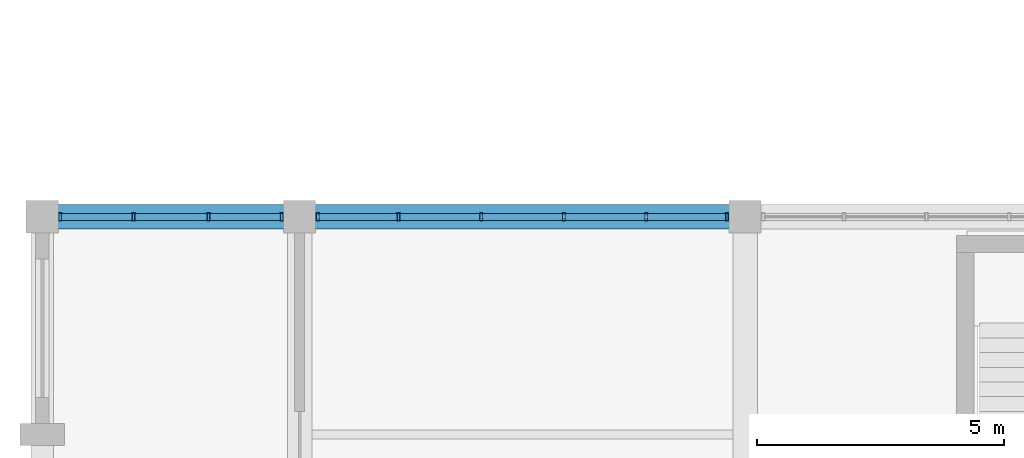
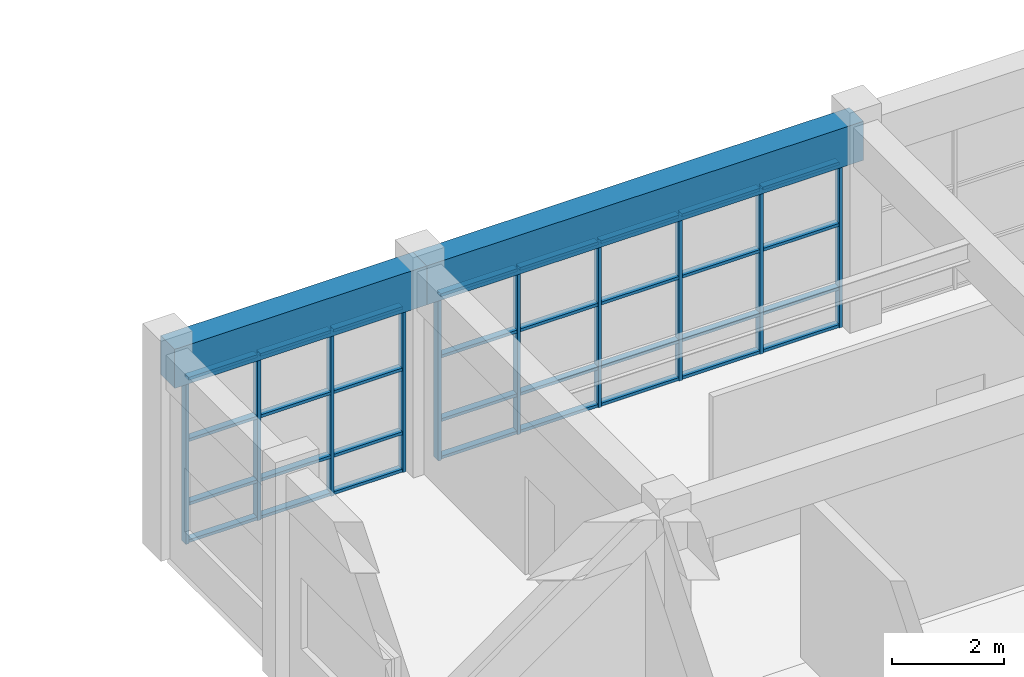
# One storey, part 13 of 99: 42 members, 2 beams, 2 elements without a shape of their own.
"""IFC4 building model written with IfcOpenShell, lengths in metres."""

from ifc_helpers import new_model, si_unit, direction, frame, origin, origin_2d, place, context, subcontext, project, spatial, rectangle, hollow_rectangle, extrude, material, layer, layer_set, material_profile, profile_set, type_object, element, aggregate, save


model = new_model("IFC4")

# Units and contexts
model_context = context("Model", 3, precision=1e-05, world=origin(), true_north=direction((0.0, 1.0)))
body_context = subcontext(model_context, "Body", "Model", "MODEL_VIEW")
ifc_project = project(units=[si_unit("LENGTHUNIT", "METRE"), si_unit("AREAUNIT", "SQUARE_METRE"), si_unit("VOLUMEUNIT", "CUBIC_METRE"), si_unit("PLANEANGLEUNIT", "RADIAN"), si_unit("MASSUNIT", "GRAM", prefix="KILO")], contexts=[model_context])

# Site, building, storey
site_placement = place(None, origin())
site = spatial("IfcSite", under=ifc_project, at=site_placement, CompositionType="ELEMENT")
building_placement = place(site_placement, origin())
building = spatial("IfcBuilding", under=site, at=building_placement, Name="Ventoquebrada Cableway Terminal", CompositionType="ELEMENT")
storey_placement = place(building_placement, frame((0.0, 0.0, 9.60009765625)))
storey = spatial("IfcBuildingStorey", under=building, at=storey_placement, Name="L02", CompositionType="ELEMENT", Elevation=9.60009765625)

# Beams
ifc_material_1 = material(Name="Concrete C40/50", Category="concrete")
ifc_material_profile_1 = material_profile(ifc_material_1, rectangle(XDim=0.5, YDim=0.85009765625, at=origin_2d()), Name="RC-BM-500X850")
ifc_profile_set_1 = profile_set([ifc_material_profile_1], Name="Concrete C40/50")
beam_type = type_object("IfcBeamType", Name="BM-RC04", PredefinedType="BEAM", material=ifc_profile_set_1)
beam_1_placement = place(storey_placement, frame((3.0, 38.199951171875, 4.039794921875), z_axis=(1.0, 0.0, 0.0), x_axis=(0.0, 1.0, 0.0)))
element("IfcBeam", 1, at=beam_1_placement, inside=storey, type_object=beam_type, Name="Primary frame girder FBM-0212", PredefinedType="BEAM", context=body_context, shape_type="SweptSolid", body=[
    extrude(rectangle(XDim=0.5, YDim=0.85009765625, at=origin_2d()), origin(), (0.0, 0.0, 1.0), 5.199951171875),
])
beam_2_placement = place(storey_placement, frame((8.199951171875, 38.199951171875, 4.039794921875), z_axis=(1.0, 0.0, 0.0), x_axis=(0.0, 1.0, 0.0)))
element("IfcBeam", 2, at=beam_2_placement, inside=storey, type_object=beam_type, Name="Primary frame girder FBM-0213", PredefinedType="BEAM", context=body_context, shape_type="SweptSolid", body=[
    extrude(rectangle(XDim=0.5, YDim=0.85009765625, at=origin_2d()), origin(), (0.0, 0.0, 1.0), 9.0),
])

# Curtain wall, members
ifc_material_2 = material(Name="Anodized thermally-broken aluminium", Category="aluminium")
ifc_layer_1 = layer(ifc_material_2, 0.159912109375)
ifc_layer_set_1 = layer_set([ifc_layer_1], Name="Anodized thermally-broken aluminium")
curtain_wall_type_1 = type_object("IfcCurtainWallType", Name="CW-T08", PredefinedType="USERDEFINED", material=ifc_layer_set_1)
curtain_wall_1_placement = place(storey_placement, origin())
curtain_wall_1 = element("IfcCurtainWall", 3, at=curtain_wall_1_placement, inside=storey, type_object=curtain_wall_type_1, Name="Unitised glazed curtain wall CW-017", ObjectType="UNITISED CURTAIN WALL", PredefinedType="USERDEFINED")
ifc_material_profile_2 = material_profile(ifc_material_2, hollow_rectangle(XDim=0.06494140625, YDim=0.159912109375, WallThickness=0.00390625, at=origin_2d()), Name="CW-MUL-65X160")
ifc_profile_set_2 = profile_set([ifc_material_profile_2], Name="Anodized thermally-broken aluminium")
member_type_1 = type_object("IfcMemberType", Name="CWM-01", PredefinedType="MULLION", material=ifc_profile_set_2)
member_1_placement = place(storey_placement, frame((7.8349609375, 38.199951171875, -0.008056640625), z_axis=(0.0, 0.0, 1.0), x_axis=(-1.0, 0.0, 0.0)))
member_1 = element("IfcMember", 4, at=member_1_placement, type_object=member_type_1, Name="Curtain wall mullion FML-0074", PredefinedType="MULLION", context=body_context, shape_type="SweptSolid", body=[
    extrude(hollow_rectangle(XDim=0.06494140625, YDim=0.159912109375, WallThickness=0.00390625, at=origin_2d()), origin(), (0.0, 0.0, 1.0), 3.623046875),
])
member_2_placement = place(storey_placement, frame((6.35693359375, 38.199951171875, -0.008056640625), z_axis=(0.0, 0.0, 1.0), x_axis=(-1.0, 0.0, 0.0)))
member_2 = element("IfcMember", 5, at=member_2_placement, type_object=member_type_1, Name="Curtain wall mullion FML-0075", PredefinedType="MULLION", context=body_context, shape_type="SweptSolid", body=[
    extrude(hollow_rectangle(XDim=0.06494140625, YDim=0.159912109375, WallThickness=0.00390625, at=origin_2d()), origin(), (0.0, 0.0, 1.0), 3.623046875),
])
member_3_placement = place(storey_placement, frame((4.843017578125, 38.199951171875, -0.008056640625), z_axis=(0.0, 0.0, 1.0), x_axis=(-1.0, 0.0, 0.0)))
member_3 = element("IfcMember", 6, at=member_3_placement, type_object=member_type_1, Name="Curtain wall mullion FML-0076", PredefinedType="MULLION", context=body_context, shape_type="SweptSolid", body=[
    extrude(hollow_rectangle(XDim=0.06494140625, YDim=0.159912109375, WallThickness=0.00390625, at=origin_2d()), origin(), (0.0, 0.0, 1.0), 3.623046875),
])
member_4_placement = place(storey_placement, frame((3.364990234375, 38.199951171875, -0.008056640625), z_axis=(0.0, 0.0, 1.0), x_axis=(-1.0, 0.0, 0.0)))
member_4 = element("IfcMember", 7, at=member_4_placement, type_object=member_type_1, Name="Curtain wall mullion FML-0077", PredefinedType="MULLION", context=body_context, shape_type="SweptSolid", body=[
    extrude(hollow_rectangle(XDim=0.06494140625, YDim=0.159912109375, WallThickness=0.00390625, at=origin_2d()), origin(), (0.0, 0.0, 1.0), 3.623046875),
])

ifc_layer_2 = layer(ifc_material_2, 0.159912109375)
ifc_layer_set_2 = layer_set([ifc_layer_2], Name="Anodized thermally-broken aluminium")
curtain_wall_type_2 = type_object("IfcCurtainWallType", Name="CW-T09", PredefinedType="USERDEFINED", material=ifc_layer_set_2)
curtain_wall_2_placement = place(storey_placement, origin())
curtain_wall_2 = element("IfcCurtainWall", 8, at=curtain_wall_2_placement, inside=storey, type_object=curtain_wall_type_2, Name="Unitised glazed curtain wall CW-018", ObjectType="UNITISED CURTAIN WALL", PredefinedType="USERDEFINED")
member_5_placement = place(storey_placement, frame((16.8349609375, 38.199951171875, -0.008056640625), z_axis=(0.0, 0.0, 1.0), x_axis=(-1.0, 0.0, 0.0)))
member_5 = element("IfcMember", 9, at=member_5_placement, type_object=member_type_1, Name="Curtain wall mullion FML-0078", PredefinedType="MULLION", context=body_context, shape_type="SweptSolid", body=[
    extrude(hollow_rectangle(XDim=0.06494140625, YDim=0.159912109375, WallThickness=0.00390625, at=origin_2d()), origin(), (0.0, 0.0, 1.0), 3.623046875),
])
member_6_placement = place(storey_placement, frame((15.201904296875, 38.199951171875, -0.008056640625), z_axis=(0.0, 0.0, 1.0), x_axis=(-1.0, 0.0, 0.0)))
member_6 = element("IfcMember", 10, at=member_6_placement, type_object=member_type_1, Name="Curtain wall mullion FML-0079", PredefinedType="MULLION", context=body_context, shape_type="SweptSolid", body=[
    extrude(hollow_rectangle(XDim=0.06494140625, YDim=0.159912109375, WallThickness=0.00390625, at=origin_2d()), origin(), (0.0, 0.0, 1.0), 3.623046875),
])
member_7_placement = place(storey_placement, frame((13.533935546875, 38.199951171875, -0.008056640625), z_axis=(0.0, 0.0, 1.0), x_axis=(-1.0, 0.0, 0.0)))
member_7 = element("IfcMember", 11, at=member_7_placement, type_object=member_type_1, Name="Curtain wall mullion FML-0080", PredefinedType="MULLION", context=body_context, shape_type="SweptSolid", body=[
    extrude(hollow_rectangle(XDim=0.06494140625, YDim=0.159912109375, WallThickness=0.00390625, at=origin_2d()), origin(), (0.0, 0.0, 1.0), 3.623046875),
])
member_8_placement = place(storey_placement, frame((11.865966796875, 38.199951171875, -0.008056640625), z_axis=(0.0, 0.0, 1.0), x_axis=(-1.0, 0.0, 0.0)))
member_8 = element("IfcMember", 12, at=member_8_placement, type_object=member_type_1, Name="Curtain wall mullion FML-0081", PredefinedType="MULLION", context=body_context, shape_type="SweptSolid", body=[
    extrude(hollow_rectangle(XDim=0.06494140625, YDim=0.159912109375, WallThickness=0.00390625, at=origin_2d()), origin(), (0.0, 0.0, 1.0), 3.623046875),
])
member_9_placement = place(storey_placement, frame((10.197998046875, 38.199951171875, -0.008056640625), z_axis=(0.0, 0.0, 1.0), x_axis=(-1.0, 0.0, 0.0)))
member_9 = element("IfcMember", 13, at=member_9_placement, type_object=member_type_1, Name="Curtain wall mullion FML-0082", PredefinedType="MULLION", context=body_context, shape_type="SweptSolid", body=[
    extrude(hollow_rectangle(XDim=0.06494140625, YDim=0.159912109375, WallThickness=0.00390625, at=origin_2d()), origin(), (0.0, 0.0, 1.0), 3.623046875),
])
member_10_placement = place(storey_placement, frame((8.56494140625, 38.199951171875, -0.008056640625), z_axis=(0.0, 0.0, 1.0), x_axis=(-1.0, 0.0, 0.0)))
member_10 = element("IfcMember", 14, at=member_10_placement, type_object=member_type_1, Name="Curtain wall mullion FML-0083", PredefinedType="MULLION", context=body_context, shape_type="SweptSolid", body=[
    extrude(hollow_rectangle(XDim=0.06494140625, YDim=0.159912109375, WallThickness=0.00390625, at=origin_2d()), origin(), (0.0, 0.0, 1.0), 3.623046875),
])

# Member
ifc_material_profile_3 = material_profile(ifc_material_2, hollow_rectangle(XDim=0.06494140625, YDim=0.139892578125, WallThickness=0.00390625, at=origin_2d()), Name="CW-TRN-65X140")
ifc_profile_set_3 = profile_set([ifc_material_profile_3], Name="Anodized thermally-broken aluminium")
member_type_2 = type_object("IfcMemberType", Name="CWT-01", PredefinedType="USERDEFINED", material=ifc_profile_set_3)
member_11_placement = place(storey_placement, frame((7.80810546875, 38.199951171875, 0.034912109375), z_axis=(-1.0, 0.0, 0.0), x_axis=(0.0, 0.0, 1.0)))
member_11 = element("IfcMember", 15, at=member_11_placement, type_object=member_type_2, Name="Curtain wall transom FTR-0220", ObjectType="TRANSOM", PredefinedType="USERDEFINED", context=body_context, shape_type="SweptSolid", body=[
    extrude(hollow_rectangle(XDim=0.06494140625, YDim=0.139892578125, WallThickness=0.00390625, at=origin_2d()), origin(), (0.0, 0.0, 1.0), 1.424072265625),
])

member_12_placement = place(storey_placement, frame((7.80810546875, 38.199951171875, 0.849853515625), z_axis=(-1.0, 0.0, 0.0), x_axis=(0.0, 0.0, 1.0)))
member_12 = element("IfcMember", 16, at=member_12_placement, type_object=member_type_2, Name="Curtain wall transom FTR-0221", ObjectType="TRANSOM", PredefinedType="USERDEFINED", context=body_context, shape_type="SweptSolid", body=[
    extrude(hollow_rectangle(XDim=0.06494140625, YDim=0.139892578125, WallThickness=0.00390625, at=origin_2d()), origin(), (0.0, 0.0, 1.0), 1.424072265625),
])

member_13_placement = place(storey_placement, frame((7.80810546875, 38.199951171875, 2.23779296875), z_axis=(-1.0, 0.0, 0.0), x_axis=(0.0, 0.0, 1.0)))
member_13 = element("IfcMember", 17, at=member_13_placement, type_object=member_type_2, Name="Curtain wall transom FTR-0222", ObjectType="TRANSOM", PredefinedType="USERDEFINED", context=body_context, shape_type="SweptSolid", body=[
    extrude(hollow_rectangle(XDim=0.06494140625, YDim=0.139892578125, WallThickness=0.00390625, at=origin_2d()), origin(), (0.0, 0.0, 1.0), 1.424072265625),
])

member_14_placement = place(storey_placement, frame((7.80810546875, 38.199951171875, 3.574951171875), z_axis=(-1.0, 0.0, 0.0), x_axis=(0.0, 0.0, 1.0)))
member_14 = element("IfcMember", 18, at=member_14_placement, type_object=member_type_2, Name="Curtain wall transom FTR-0223", ObjectType="TRANSOM", PredefinedType="USERDEFINED", context=body_context, shape_type="SweptSolid", body=[
    extrude(hollow_rectangle(XDim=0.06494140625, YDim=0.139892578125, WallThickness=0.00390625, at=origin_2d()), origin(), (0.0, 0.0, 1.0), 1.424072265625),
])

member_15_placement = place(storey_placement, frame((6.3291015625, 38.199951171875, 0.034912109375), z_axis=(-1.0, 0.0, 0.0), x_axis=(0.0, 0.0, 1.0)))
member_15 = element("IfcMember", 19, at=member_15_placement, type_object=member_type_2, Name="Curtain wall transom FTR-0224", ObjectType="TRANSOM", PredefinedType="USERDEFINED", context=body_context, shape_type="SweptSolid", body=[
    extrude(hollow_rectangle(XDim=0.06494140625, YDim=0.139892578125, WallThickness=0.00390625, at=origin_2d()), origin(), (0.0, 0.0, 1.0), 1.4580078125),
])

member_16_placement = place(storey_placement, frame((6.3291015625, 38.199951171875, 0.849853515625), z_axis=(-1.0, 0.0, 0.0), x_axis=(0.0, 0.0, 1.0)))
member_16 = element("IfcMember", 20, at=member_16_placement, type_object=member_type_2, Name="Curtain wall transom FTR-0225", ObjectType="TRANSOM", PredefinedType="USERDEFINED", context=body_context, shape_type="SweptSolid", body=[
    extrude(hollow_rectangle(XDim=0.06494140625, YDim=0.139892578125, WallThickness=0.00390625, at=origin_2d()), origin(), (0.0, 0.0, 1.0), 1.4580078125),
])

member_17_placement = place(storey_placement, frame((6.3291015625, 38.199951171875, 2.23779296875), z_axis=(-1.0, 0.0, 0.0), x_axis=(0.0, 0.0, 1.0)))
member_17 = element("IfcMember", 21, at=member_17_placement, type_object=member_type_2, Name="Curtain wall transom FTR-0226", ObjectType="TRANSOM", PredefinedType="USERDEFINED", context=body_context, shape_type="SweptSolid", body=[
    extrude(hollow_rectangle(XDim=0.06494140625, YDim=0.139892578125, WallThickness=0.00390625, at=origin_2d()), origin(), (0.0, 0.0, 1.0), 1.4580078125),
])

member_18_placement = place(storey_placement, frame((6.3291015625, 38.199951171875, 3.574951171875), z_axis=(-1.0, 0.0, 0.0), x_axis=(0.0, 0.0, 1.0)))
member_18 = element("IfcMember", 22, at=member_18_placement, type_object=member_type_2, Name="Curtain wall transom FTR-0227", ObjectType="TRANSOM", PredefinedType="USERDEFINED", context=body_context, shape_type="SweptSolid", body=[
    extrude(hollow_rectangle(XDim=0.06494140625, YDim=0.139892578125, WallThickness=0.00390625, at=origin_2d()), origin(), (0.0, 0.0, 1.0), 1.4580078125),
])

member_19_placement = place(storey_placement, frame((4.81591796875, 38.199951171875, 0.034912109375), z_axis=(-1.0, 0.0, 0.0), x_axis=(0.0, 0.0, 1.0)))
member_19 = element("IfcMember", 23, at=member_19_placement, type_object=member_type_2, Name="Curtain wall transom FTR-0228", ObjectType="TRANSOM", PredefinedType="USERDEFINED", context=body_context, shape_type="SweptSolid", body=[
    extrude(hollow_rectangle(XDim=0.06494140625, YDim=0.139892578125, WallThickness=0.00390625, at=origin_2d()), origin(), (0.0, 0.0, 1.0), 1.4228515625),
])

member_20_placement = place(storey_placement, frame((4.81591796875, 38.199951171875, 0.849853515625), z_axis=(-1.0, 0.0, 0.0), x_axis=(0.0, 0.0, 1.0)))
member_20 = element("IfcMember", 24, at=member_20_placement, type_object=member_type_2, Name="Curtain wall transom FTR-0229", ObjectType="TRANSOM", PredefinedType="USERDEFINED", context=body_context, shape_type="SweptSolid", body=[
    extrude(hollow_rectangle(XDim=0.06494140625, YDim=0.139892578125, WallThickness=0.00390625, at=origin_2d()), origin(), (0.0, 0.0, 1.0), 1.4228515625),
])

member_21_placement = place(storey_placement, frame((4.81591796875, 38.199951171875, 2.23779296875), z_axis=(-1.0, 0.0, 0.0), x_axis=(0.0, 0.0, 1.0)))
member_21 = element("IfcMember", 25, at=member_21_placement, type_object=member_type_2, Name="Curtain wall transom FTR-0230", ObjectType="TRANSOM", PredefinedType="USERDEFINED", context=body_context, shape_type="SweptSolid", body=[
    extrude(hollow_rectangle(XDim=0.06494140625, YDim=0.139892578125, WallThickness=0.00390625, at=origin_2d()), origin(), (0.0, 0.0, 1.0), 1.4228515625),
])

member_22_placement = place(storey_placement, frame((4.81591796875, 38.199951171875, 3.574951171875), z_axis=(-1.0, 0.0, 0.0), x_axis=(0.0, 0.0, 1.0)))
member_22 = element("IfcMember", 26, at=member_22_placement, type_object=member_type_2, Name="Curtain wall transom FTR-0231", ObjectType="TRANSOM", PredefinedType="USERDEFINED", context=body_context, shape_type="SweptSolid", body=[
    extrude(hollow_rectangle(XDim=0.06494140625, YDim=0.139892578125, WallThickness=0.00390625, at=origin_2d()), origin(), (0.0, 0.0, 1.0), 1.4228515625),
])

aggregate(curtain_wall_1, [member_1, member_2, member_3, member_4, member_11, member_12, member_13, member_14, member_15, member_16, member_17, member_18, member_19, member_20, member_21, member_22])

member_23_placement = place(storey_placement, frame((16.80810546875, 38.199951171875, 0.034912109375), z_axis=(-1.0, 0.0, 0.0), x_axis=(0.0, 0.0, 1.0)))
member_23 = element("IfcMember", 27, at=member_23_placement, type_object=member_type_2, Name="Curtain wall transom FTR-0232", ObjectType="TRANSOM", PredefinedType="USERDEFINED", context=body_context, shape_type="SweptSolid", body=[
    extrude(hollow_rectangle(XDim=0.06494140625, YDim=0.139892578125, WallThickness=0.00390625, at=origin_2d()), origin(), (0.0, 0.0, 1.0), 1.578125),
])

member_24_placement = place(storey_placement, frame((16.80810546875, 38.199951171875, 0.849853515625), z_axis=(-1.0, 0.0, 0.0), x_axis=(0.0, 0.0, 1.0)))
member_24 = element("IfcMember", 28, at=member_24_placement, type_object=member_type_2, Name="Curtain wall transom FTR-0233", ObjectType="TRANSOM", PredefinedType="USERDEFINED", context=body_context, shape_type="SweptSolid", body=[
    extrude(hollow_rectangle(XDim=0.06494140625, YDim=0.139892578125, WallThickness=0.00390625, at=origin_2d()), origin(), (0.0, 0.0, 1.0), 1.578125),
])

member_25_placement = place(storey_placement, frame((16.80810546875, 38.199951171875, 2.23779296875), z_axis=(-1.0, 0.0, 0.0), x_axis=(0.0, 0.0, 1.0)))
member_25 = element("IfcMember", 29, at=member_25_placement, type_object=member_type_2, Name="Curtain wall transom FTR-0234", ObjectType="TRANSOM", PredefinedType="USERDEFINED", context=body_context, shape_type="SweptSolid", body=[
    extrude(hollow_rectangle(XDim=0.06494140625, YDim=0.139892578125, WallThickness=0.00390625, at=origin_2d()), origin(), (0.0, 0.0, 1.0), 1.578125),
])

member_26_placement = place(storey_placement, frame((16.80810546875, 38.199951171875, 3.574951171875), z_axis=(-1.0, 0.0, 0.0), x_axis=(0.0, 0.0, 1.0)))
member_26 = element("IfcMember", 30, at=member_26_placement, type_object=member_type_2, Name="Curtain wall transom FTR-0235", ObjectType="TRANSOM", PredefinedType="USERDEFINED", context=body_context, shape_type="SweptSolid", body=[
    extrude(hollow_rectangle(XDim=0.06494140625, YDim=0.139892578125, WallThickness=0.00390625, at=origin_2d()), origin(), (0.0, 0.0, 1.0), 1.578125),
])

member_27_placement = place(storey_placement, frame((15.175048828125, 38.199951171875, 0.034912109375), z_axis=(-1.0, 0.0, 0.0), x_axis=(0.0, 0.0, 1.0)))
member_27 = element("IfcMember", 31, at=member_27_placement, type_object=member_type_2, Name="Curtain wall transom FTR-0236", ObjectType="TRANSOM", PredefinedType="USERDEFINED", context=body_context, shape_type="SweptSolid", body=[
    extrude(hollow_rectangle(XDim=0.06494140625, YDim=0.139892578125, WallThickness=0.00390625, at=origin_2d()), origin(), (0.0, 0.0, 1.0), 1.613037109375),
])

member_28_placement = place(storey_placement, frame((15.175048828125, 38.199951171875, 0.849853515625), z_axis=(-1.0, 0.0, 0.0), x_axis=(0.0, 0.0, 1.0)))
member_28 = element("IfcMember", 32, at=member_28_placement, type_object=member_type_2, Name="Curtain wall transom FTR-0237", ObjectType="TRANSOM", PredefinedType="USERDEFINED", context=body_context, shape_type="SweptSolid", body=[
    extrude(hollow_rectangle(XDim=0.06494140625, YDim=0.139892578125, WallThickness=0.00390625, at=origin_2d()), origin(), (0.0, 0.0, 1.0), 1.613037109375),
])

member_29_placement = place(storey_placement, frame((15.175048828125, 38.199951171875, 2.23779296875), z_axis=(-1.0, 0.0, 0.0), x_axis=(0.0, 0.0, 1.0)))
member_29 = element("IfcMember", 33, at=member_29_placement, type_object=member_type_2, Name="Curtain wall transom FTR-0238", ObjectType="TRANSOM", PredefinedType="USERDEFINED", context=body_context, shape_type="SweptSolid", body=[
    extrude(hollow_rectangle(XDim=0.06494140625, YDim=0.139892578125, WallThickness=0.00390625, at=origin_2d()), origin(), (0.0, 0.0, 1.0), 1.613037109375),
])

member_30_placement = place(storey_placement, frame((15.175048828125, 38.199951171875, 3.574951171875), z_axis=(-1.0, 0.0, 0.0), x_axis=(0.0, 0.0, 1.0)))
member_30 = element("IfcMember", 34, at=member_30_placement, type_object=member_type_2, Name="Curtain wall transom FTR-0239", ObjectType="TRANSOM", PredefinedType="USERDEFINED", context=body_context, shape_type="SweptSolid", body=[
    extrude(hollow_rectangle(XDim=0.06494140625, YDim=0.139892578125, WallThickness=0.00390625, at=origin_2d()), origin(), (0.0, 0.0, 1.0), 1.613037109375),
])

member_31_placement = place(storey_placement, frame((13.506103515625, 38.199951171875, 0.034912109375), z_axis=(-1.0, 0.0, 0.0), x_axis=(0.0, 0.0, 1.0)))
member_31 = element("IfcMember", 35, at=member_31_placement, type_object=member_type_2, Name="Curtain wall transom FTR-0240", ObjectType="TRANSOM", PredefinedType="USERDEFINED", context=body_context, shape_type="SweptSolid", body=[
    extrude(hollow_rectangle(XDim=0.06494140625, YDim=0.139892578125, WallThickness=0.00390625, at=origin_2d()), origin(), (0.0, 0.0, 1.0), 1.613037109375),
])

member_32_placement = place(storey_placement, frame((13.506103515625, 38.199951171875, 0.849853515625), z_axis=(-1.0, 0.0, 0.0), x_axis=(0.0, 0.0, 1.0)))
member_32 = element("IfcMember", 36, at=member_32_placement, type_object=member_type_2, Name="Curtain wall transom FTR-0241", ObjectType="TRANSOM", PredefinedType="USERDEFINED", context=body_context, shape_type="SweptSolid", body=[
    extrude(hollow_rectangle(XDim=0.06494140625, YDim=0.139892578125, WallThickness=0.00390625, at=origin_2d()), origin(), (0.0, 0.0, 1.0), 1.613037109375),
])

member_33_placement = place(storey_placement, frame((13.506103515625, 38.199951171875, 2.23779296875), z_axis=(-1.0, 0.0, 0.0), x_axis=(0.0, 0.0, 1.0)))
member_33 = element("IfcMember", 37, at=member_33_placement, type_object=member_type_2, Name="Curtain wall transom FTR-0242", ObjectType="TRANSOM", PredefinedType="USERDEFINED", context=body_context, shape_type="SweptSolid", body=[
    extrude(hollow_rectangle(XDim=0.06494140625, YDim=0.139892578125, WallThickness=0.00390625, at=origin_2d()), origin(), (0.0, 0.0, 1.0), 1.613037109375),
])

member_34_placement = place(storey_placement, frame((13.506103515625, 38.199951171875, 3.574951171875), z_axis=(-1.0, 0.0, 0.0), x_axis=(0.0, 0.0, 1.0)))
member_34 = element("IfcMember", 38, at=member_34_placement, type_object=member_type_2, Name="Curtain wall transom FTR-0243", ObjectType="TRANSOM", PredefinedType="USERDEFINED", context=body_context, shape_type="SweptSolid", body=[
    extrude(hollow_rectangle(XDim=0.06494140625, YDim=0.139892578125, WallThickness=0.00390625, at=origin_2d()), origin(), (0.0, 0.0, 1.0), 1.613037109375),
])

member_35_placement = place(storey_placement, frame((11.837890625, 38.199951171875, 0.034912109375), z_axis=(-1.0, 0.0, 0.0), x_axis=(0.0, 0.0, 1.0)))
member_35 = element("IfcMember", 39, at=member_35_placement, type_object=member_type_2, Name="Curtain wall transom FTR-0244", ObjectType="TRANSOM", PredefinedType="USERDEFINED", context=body_context, shape_type="SweptSolid", body=[
    extrude(hollow_rectangle(XDim=0.06494140625, YDim=0.139892578125, WallThickness=0.00390625, at=origin_2d()), origin(), (0.0, 0.0, 1.0), 1.61181640625),
])

member_36_placement = place(storey_placement, frame((11.837890625, 38.199951171875, 0.849853515625), z_axis=(-1.0, 0.0, 0.0), x_axis=(0.0, 0.0, 1.0)))
member_36 = element("IfcMember", 40, at=member_36_placement, type_object=member_type_2, Name="Curtain wall transom FTR-0245", ObjectType="TRANSOM", PredefinedType="USERDEFINED", context=body_context, shape_type="SweptSolid", body=[
    extrude(hollow_rectangle(XDim=0.06494140625, YDim=0.139892578125, WallThickness=0.00390625, at=origin_2d()), origin(), (0.0, 0.0, 1.0), 1.61181640625),
])

member_37_placement = place(storey_placement, frame((11.837890625, 38.199951171875, 2.23779296875), z_axis=(-1.0, 0.0, 0.0), x_axis=(0.0, 0.0, 1.0)))
member_37 = element("IfcMember", 41, at=member_37_placement, type_object=member_type_2, Name="Curtain wall transom FTR-0246", ObjectType="TRANSOM", PredefinedType="USERDEFINED", context=body_context, shape_type="SweptSolid", body=[
    extrude(hollow_rectangle(XDim=0.06494140625, YDim=0.139892578125, WallThickness=0.00390625, at=origin_2d()), origin(), (0.0, 0.0, 1.0), 1.61181640625),
])

member_38_placement = place(storey_placement, frame((11.837890625, 38.199951171875, 3.574951171875), z_axis=(-1.0, 0.0, 0.0), x_axis=(0.0, 0.0, 1.0)))
member_38 = element("IfcMember", 42, at=member_38_placement, type_object=member_type_2, Name="Curtain wall transom FTR-0247", ObjectType="TRANSOM", PredefinedType="USERDEFINED", context=body_context, shape_type="SweptSolid", body=[
    extrude(hollow_rectangle(XDim=0.06494140625, YDim=0.139892578125, WallThickness=0.00390625, at=origin_2d()), origin(), (0.0, 0.0, 1.0), 1.61181640625),
])

member_39_placement = place(storey_placement, frame((10.1708984375, 38.199951171875, 0.034912109375), z_axis=(-1.0, 0.0, 0.0), x_axis=(0.0, 0.0, 1.0)))
member_39 = element("IfcMember", 43, at=member_39_placement, type_object=member_type_2, Name="Curtain wall transom FTR-0248", ObjectType="TRANSOM", PredefinedType="USERDEFINED", context=body_context, shape_type="SweptSolid", body=[
    extrude(hollow_rectangle(XDim=0.06494140625, YDim=0.139892578125, WallThickness=0.00390625, at=origin_2d()), origin(), (0.0, 0.0, 1.0), 1.578857421875),
])

member_40_placement = place(storey_placement, frame((10.1708984375, 38.199951171875, 0.849853515625), z_axis=(-1.0, 0.0, 0.0), x_axis=(0.0, 0.0, 1.0)))
member_40 = element("IfcMember", 44, at=member_40_placement, type_object=member_type_2, Name="Curtain wall transom FTR-0249", ObjectType="TRANSOM", PredefinedType="USERDEFINED", context=body_context, shape_type="SweptSolid", body=[
    extrude(hollow_rectangle(XDim=0.06494140625, YDim=0.139892578125, WallThickness=0.00390625, at=origin_2d()), origin(), (0.0, 0.0, 1.0), 1.578857421875),
])

member_41_placement = place(storey_placement, frame((10.1708984375, 38.199951171875, 2.23779296875), z_axis=(-1.0, 0.0, 0.0), x_axis=(0.0, 0.0, 1.0)))
member_41 = element("IfcMember", 45, at=member_41_placement, type_object=member_type_2, Name="Curtain wall transom FTR-0250", ObjectType="TRANSOM", PredefinedType="USERDEFINED", context=body_context, shape_type="SweptSolid", body=[
    extrude(hollow_rectangle(XDim=0.06494140625, YDim=0.139892578125, WallThickness=0.00390625, at=origin_2d()), origin(), (0.0, 0.0, 1.0), 1.578857421875),
])

member_42_placement = place(storey_placement, frame((10.1708984375, 38.199951171875, 3.574951171875), z_axis=(-1.0, 0.0, 0.0), x_axis=(0.0, 0.0, 1.0)))
member_42 = element("IfcMember", 46, at=member_42_placement, type_object=member_type_2, Name="Curtain wall transom FTR-0251", ObjectType="TRANSOM", PredefinedType="USERDEFINED", context=body_context, shape_type="SweptSolid", body=[
    extrude(hollow_rectangle(XDim=0.06494140625, YDim=0.139892578125, WallThickness=0.00390625, at=origin_2d()), origin(), (0.0, 0.0, 1.0), 1.578857421875),
])

aggregate(curtain_wall_2, [member_5, member_6, member_7, member_8, member_9, member_10, member_23, member_24, member_25, member_26, member_27, member_28, member_29, member_30, member_31, member_32, member_33, member_34, member_35, member_36, member_37, member_38, member_39, member_40, member_41, member_42])

save(model, "model.ifc")
